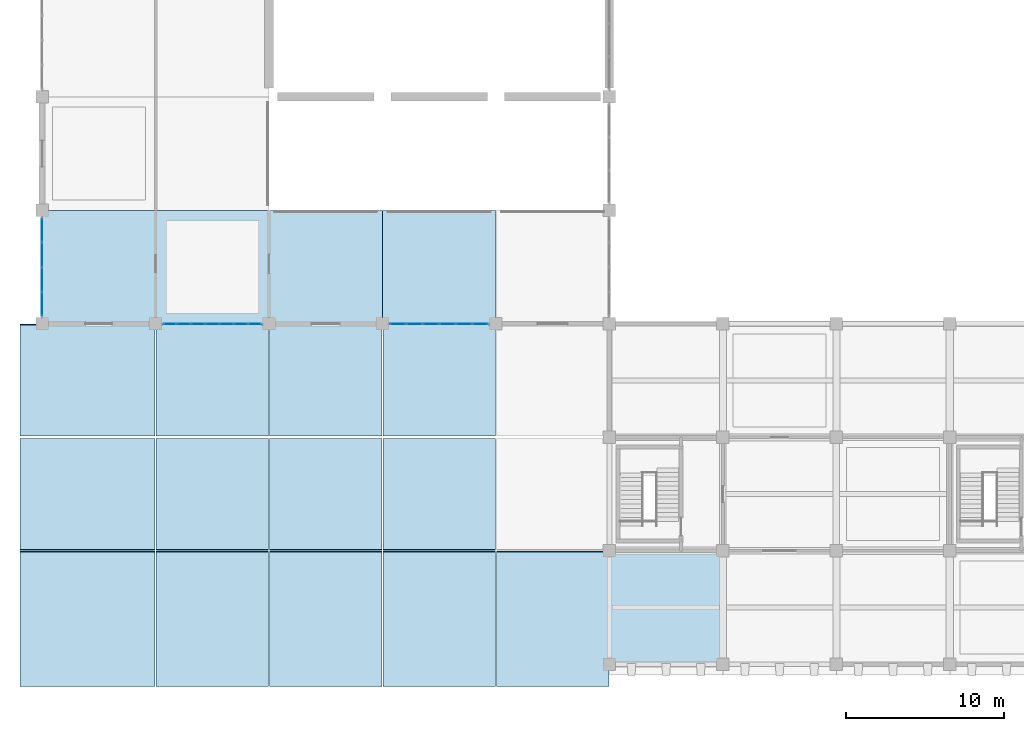
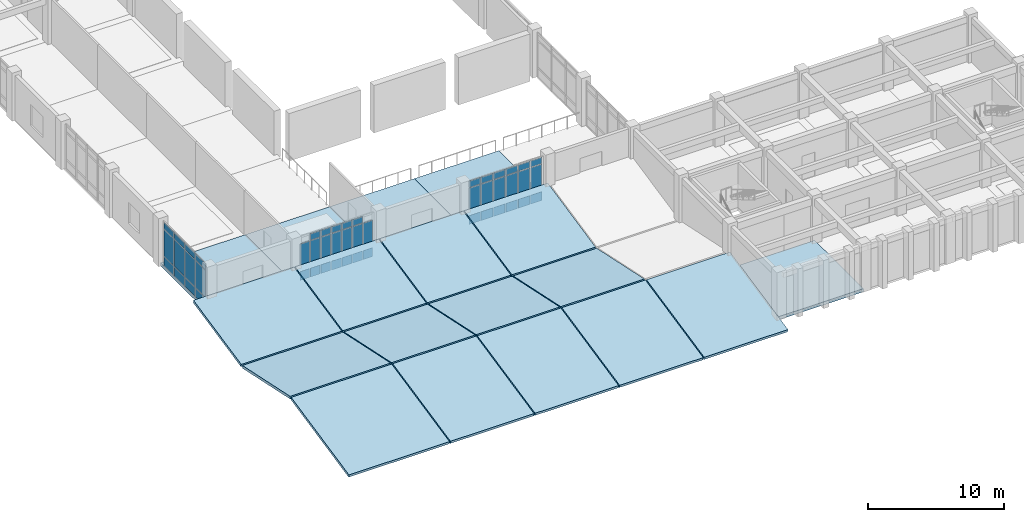
# One storey, part 32 of 70: 49 plates, 18 slabs, 3 elements without a shape of their own.
"""IFC4 building model written with IfcOpenShell, lengths in metres."""

from ifc_helpers import new_model, si_unit, direction, frame, origin, origin_2d, place, context, subcontext, project, spatial, polyline, rectangle, outline, extrude, material, layer, layer_set, type_object, element, aggregate, save


model = new_model("IFC4")

# Units and contexts
model_context = context("Model", 3, precision=1e-05, world=origin(), true_north=direction((0.0, 1.0)))
body_context = subcontext(model_context, "Body", "Model", "MODEL_VIEW")
ifc_project = project(units=[si_unit("LENGTHUNIT", "METRE"), si_unit("AREAUNIT", "SQUARE_METRE"), si_unit("VOLUMEUNIT", "CUBIC_METRE"), si_unit("PLANEANGLEUNIT", "RADIAN"), si_unit("MASSUNIT", "GRAM", prefix="KILO")], contexts=[model_context])

# Site, building, storey
site_placement = place(None, origin())
site = spatial("IfcSite", under=ifc_project, at=site_placement, CompositionType="ELEMENT")
building_placement = place(site_placement, origin())
building = spatial("IfcBuilding", under=site, at=building_placement, Name="Kavelor Marine Aquarium", CompositionType="ELEMENT")
storey_placement = place(building_placement, frame((0.0, 0.0, 9.179931640625)))
storey = spatial("IfcBuildingStorey", under=building, at=storey_placement, Name="L02", CompositionType="ELEMENT", Elevation=9.179931640625)

# Curtain wall, plates
ifc_material_1 = material(Name="Thermally Broken Aluminium and Low-E Glass", Category="aluminium")
ifc_layer_1 = layer(ifc_material_1, 0.156005859375)
ifc_layer_set_1 = layer_set([ifc_layer_1], Name="CW-SYS2")
curtain_wall_type_1 = type_object("IfcCurtainWallType", Name="CW-SYS2", PredefinedType="USERDEFINED", material=ifc_layer_set_1)
curtain_wall_1_placement = place(storey_placement, origin())
curtain_wall_1 = element("IfcCurtainWall", 1, at=curtain_wall_1_placement, inside=storey, type_object=curtain_wall_type_1, Name="cw:x:L02:01_03", ObjectType="Curtain Wall", PredefinedType="USERDEFINED")
ifc_material_2 = material(Name="Solar-Control Double Low-E Glazing", Category="glass")
ifc_layer_2 = layer(ifc_material_2, 0.028076171875)
ifc_layer_set_2 = layer_set([ifc_layer_2], Name="CWP-02")
plate_type_1 = type_object("IfcPlateType", Name="CWP-02", PredefinedType="CURTAIN_PANEL", material=ifc_layer_set_2)
plate_1_placement = place(storey_placement, frame((16.68798828125, 24.39990234375, 0.06494140625), z_axis=(0.0, 0.0, 1.0), x_axis=(-1.0, 0.0, 0.0)))
plate_1 = element("IfcPlate", 2, at=plate_1_placement, type_object=plate_type_1, Name="CW02 panel 1.1", PredefinedType="CURTAIN_PANEL", context=body_context, shape_type="SweptSolid", body=[
    extrude(rectangle(XDim=0.803955078125, YDim=0.028076171875, at=origin_2d()), origin(), (0.0, 0.0, 1.0), 0.802490234375),
])
plate_2_placement = place(storey_placement, frame((16.68798828125, 24.39990234375, 0.9326171875), z_axis=(0.0, 0.0, 1.0), x_axis=(-1.0, 0.0, 0.0)))
plate_2 = element("IfcPlate", 3, at=plate_2_placement, type_object=plate_type_1, Name="CW02 panel 1.2", PredefinedType="CURTAIN_PANEL", context=body_context, shape_type="SweptSolid", body=[
    extrude(rectangle(XDim=0.803955078125, YDim=0.028076171875, at=origin_2d()), origin(), (0.0, 0.0, 1.0), 2.405029296875),
])
plate_3_placement = place(storey_placement, frame((15.802978515625, 24.39990234375, 0.06494140625), z_axis=(0.0, 0.0, 1.0), x_axis=(-1.0, 0.0, 0.0)))
plate_3 = element("IfcPlate", 4, at=plate_3_placement, type_object=plate_type_1, Name="CW02 panel 2.1", PredefinedType="CURTAIN_PANEL", context=body_context, shape_type="SweptSolid", body=[
    extrude(rectangle(XDim=0.83642578125, YDim=0.028076171875, at=origin_2d()), origin(), (0.0, 0.0, 1.0), 0.802490234375),
])
plate_4_placement = place(storey_placement, frame((15.802978515625, 24.39990234375, 0.9326171875), z_axis=(0.0, 0.0, 1.0), x_axis=(-1.0, 0.0, 0.0)))
plate_4 = element("IfcPlate", 5, at=plate_4_placement, type_object=plate_type_1, Name="CW02 panel 2.2", PredefinedType="CURTAIN_PANEL", context=body_context, shape_type="SweptSolid", body=[
    extrude(rectangle(XDim=0.83642578125, YDim=0.028076171875, at=origin_2d()), origin(), (0.0, 0.0, 1.0), 2.405029296875),
])
plate_5_placement = place(storey_placement, frame((15.802978515625, 24.39990234375, 3.40234375), z_axis=(0.0, 0.0, 1.0), x_axis=(-1.0, 0.0, 0.0)))
plate_5 = element("IfcPlate", 6, at=plate_5_placement, type_object=plate_type_1, Name="CW02 panel 2.3", PredefinedType="CURTAIN_PANEL", context=body_context, shape_type="SweptSolid", body=[
    extrude(rectangle(XDim=0.83642578125, YDim=0.028076171875, at=origin_2d()), origin(), (0.0, 0.0, 1.0), 0.552490234375),
])
plate_6_placement = place(storey_placement, frame((14.9013671875, 24.39990234375, 0.06494140625), z_axis=(0.0, 0.0, 1.0), x_axis=(-1.0, 0.0, 0.0)))
plate_6 = element("IfcPlate", 7, at=plate_6_placement, type_object=plate_type_1, Name="CW02 panel 3.1", PredefinedType="CURTAIN_PANEL", context=body_context, shape_type="SweptSolid", body=[
    extrude(rectangle(XDim=0.83642578125, YDim=0.028076171875, at=origin_2d()), origin(), (0.0, 0.0, 1.0), 0.802490234375),
])
plate_7_placement = place(storey_placement, frame((14.9013671875, 24.39990234375, 0.9326171875), z_axis=(0.0, 0.0, 1.0), x_axis=(-1.0, 0.0, 0.0)))
plate_7 = element("IfcPlate", 8, at=plate_7_placement, type_object=plate_type_1, Name="CW02 panel 3.2", PredefinedType="CURTAIN_PANEL", context=body_context, shape_type="SweptSolid", body=[
    extrude(rectangle(XDim=0.83642578125, YDim=0.028076171875, at=origin_2d()), origin(), (0.0, 0.0, 1.0), 2.405029296875),
])
plate_8_placement = place(storey_placement, frame((14.9013671875, 24.39990234375, 3.40234375), z_axis=(0.0, 0.0, 1.0), x_axis=(-1.0, 0.0, 0.0)))
plate_8 = element("IfcPlate", 9, at=plate_8_placement, type_object=plate_type_1, Name="CW02 panel 3.3", PredefinedType="CURTAIN_PANEL", context=body_context, shape_type="SweptSolid", body=[
    extrude(rectangle(XDim=0.83642578125, YDim=0.028076171875, at=origin_2d()), origin(), (0.0, 0.0, 1.0), 0.552490234375),
])
plate_9_placement = place(storey_placement, frame((14.0, 24.39990234375, 0.06494140625), z_axis=(0.0, 0.0, 1.0), x_axis=(-1.0, 0.0, 0.0)))
plate_9 = element("IfcPlate", 10, at=plate_9_placement, type_object=plate_type_1, Name="CW02 panel 4.1", PredefinedType="CURTAIN_PANEL", context=body_context, shape_type="SweptSolid", body=[
    extrude(rectangle(XDim=0.83642578125, YDim=0.028076171875, at=origin_2d()), origin(), (0.0, 0.0, 1.0), 0.802490234375),
])
plate_10_placement = place(storey_placement, frame((14.0, 24.39990234375, 0.9326171875), z_axis=(0.0, 0.0, 1.0), x_axis=(-1.0, 0.0, 0.0)))
plate_10 = element("IfcPlate", 11, at=plate_10_placement, type_object=plate_type_1, Name="CW02 panel 4.2", PredefinedType="CURTAIN_PANEL", context=body_context, shape_type="SweptSolid", body=[
    extrude(rectangle(XDim=0.83642578125, YDim=0.028076171875, at=origin_2d()), origin(), (0.0, 0.0, 1.0), 2.405029296875),
])
plate_11_placement = place(storey_placement, frame((14.0, 24.39990234375, 3.40234375), z_axis=(0.0, 0.0, 1.0), x_axis=(-1.0, 0.0, 0.0)))
plate_11 = element("IfcPlate", 12, at=plate_11_placement, type_object=plate_type_1, Name="CW02 panel 4.3", PredefinedType="CURTAIN_PANEL", context=body_context, shape_type="SweptSolid", body=[
    extrude(rectangle(XDim=0.83642578125, YDim=0.028076171875, at=origin_2d()), origin(), (0.0, 0.0, 1.0), 0.552490234375),
])
plate_12_placement = place(storey_placement, frame((13.0986328125, 24.39990234375, 0.06494140625), z_axis=(0.0, 0.0, 1.0), x_axis=(-1.0, 0.0, 0.0)))
plate_12 = element("IfcPlate", 13, at=plate_12_placement, type_object=plate_type_1, Name="CW02 panel 5.1", PredefinedType="CURTAIN_PANEL", context=body_context, shape_type="SweptSolid", body=[
    extrude(rectangle(XDim=0.83642578125, YDim=0.028076171875, at=origin_2d()), origin(), (0.0, 0.0, 1.0), 0.802490234375),
])
plate_13_placement = place(storey_placement, frame((13.0986328125, 24.39990234375, 0.9326171875), z_axis=(0.0, 0.0, 1.0), x_axis=(-1.0, 0.0, 0.0)))
plate_13 = element("IfcPlate", 14, at=plate_13_placement, type_object=plate_type_1, Name="CW02 panel 5.2", PredefinedType="CURTAIN_PANEL", context=body_context, shape_type="SweptSolid", body=[
    extrude(rectangle(XDim=0.83642578125, YDim=0.028076171875, at=origin_2d()), origin(), (0.0, 0.0, 1.0), 2.405029296875),
])
plate_14_placement = place(storey_placement, frame((13.0986328125, 24.39990234375, 3.40234375), z_axis=(0.0, 0.0, 1.0), x_axis=(-1.0, 0.0, 0.0)))
plate_14 = element("IfcPlate", 15, at=plate_14_placement, type_object=plate_type_1, Name="CW02 panel 5.3", PredefinedType="CURTAIN_PANEL", context=body_context, shape_type="SweptSolid", body=[
    extrude(rectangle(XDim=0.83642578125, YDim=0.028076171875, at=origin_2d()), origin(), (0.0, 0.0, 1.0), 0.552490234375),
])
plate_15_placement = place(storey_placement, frame((12.197021484375, 24.39990234375, 0.06494140625), z_axis=(0.0, 0.0, 1.0), x_axis=(-1.0, 0.0, 0.0)))
plate_15 = element("IfcPlate", 16, at=plate_15_placement, type_object=plate_type_1, Name="CW02 panel 6.1", PredefinedType="CURTAIN_PANEL", context=body_context, shape_type="SweptSolid", body=[
    extrude(rectangle(XDim=0.83642578125, YDim=0.028076171875, at=origin_2d()), origin(), (0.0, 0.0, 1.0), 0.802490234375),
])
plate_16_placement = place(storey_placement, frame((12.197021484375, 24.39990234375, 0.9326171875), z_axis=(0.0, 0.0, 1.0), x_axis=(-1.0, 0.0, 0.0)))
plate_16 = element("IfcPlate", 17, at=plate_16_placement, type_object=plate_type_1, Name="CW02 panel 6.2", PredefinedType="CURTAIN_PANEL", context=body_context, shape_type="SweptSolid", body=[
    extrude(rectangle(XDim=0.83642578125, YDim=0.028076171875, at=origin_2d()), origin(), (0.0, 0.0, 1.0), 2.405029296875),
])
plate_17_placement = place(storey_placement, frame((12.197021484375, 24.39990234375, 3.40234375), z_axis=(0.0, 0.0, 1.0), x_axis=(-1.0, 0.0, 0.0)))
plate_17 = element("IfcPlate", 18, at=plate_17_placement, type_object=plate_type_1, Name="CW02 panel 6.3", PredefinedType="CURTAIN_PANEL", context=body_context, shape_type="SweptSolid", body=[
    extrude(rectangle(XDim=0.83642578125, YDim=0.028076171875, at=origin_2d()), origin(), (0.0, 0.0, 1.0), 0.552490234375),
])
plate_18_placement = place(storey_placement, frame((11.31201171875, 24.39990234375, 0.06494140625), z_axis=(0.0, 0.0, 1.0), x_axis=(-1.0, 0.0, 0.0)))
plate_18 = element("IfcPlate", 19, at=plate_18_placement, type_object=plate_type_1, Name="CW02 panel 7.1", PredefinedType="CURTAIN_PANEL", context=body_context, shape_type="SweptSolid", body=[
    extrude(rectangle(XDim=0.803955078125, YDim=0.028076171875, at=origin_2d()), origin(), (0.0, 0.0, 1.0), 0.802490234375),
])
plate_19_placement = place(storey_placement, frame((11.31201171875, 24.39990234375, 0.9326171875), z_axis=(0.0, 0.0, 1.0), x_axis=(-1.0, 0.0, 0.0)))
plate_19 = element("IfcPlate", 20, at=plate_19_placement, type_object=plate_type_1, Name="CW02 panel 7.2", PredefinedType="CURTAIN_PANEL", context=body_context, shape_type="SweptSolid", body=[
    extrude(rectangle(XDim=0.803955078125, YDim=0.028076171875, at=origin_2d()), origin(), (0.0, 0.0, 1.0), 2.405029296875),
])
aggregate(curtain_wall_1, [plate_1, plate_2, plate_3, plate_4, plate_5, plate_6, plate_7, plate_8, plate_9, plate_10, plate_11, plate_12, plate_13, plate_14, plate_15, plate_16, plate_17, plate_18, plate_19])

ifc_material_3 = material(Name="Thermally Broken Aluminium and Low-E Glass", Category="aluminium")
ifc_layer_3 = layer(ifc_material_3, 0.1640625)
ifc_layer_set_3 = layer_set([ifc_layer_3], Name="CW-SYS3")
curtain_wall_type_2 = type_object("IfcCurtainWallType", Name="CW-SYS3", PredefinedType="USERDEFINED", material=ifc_layer_set_3)
curtain_wall_2_placement = place(storey_placement, origin())
curtain_wall_2 = element("IfcCurtainWall", 21, at=curtain_wall_2_placement, inside=storey, type_object=curtain_wall_type_2, Name="cw:x:L02:03_03", ObjectType="Curtain Wall", PredefinedType="USERDEFINED")
ifc_material_4 = material(Name="Solar-Control Double Low-E Glazing", Category="glass")
ifc_layer_4 = layer(ifc_material_4, 0.030029296875)
ifc_layer_set_4 = layer_set([ifc_layer_4], Name="CWP-03")
plate_type_2 = type_object("IfcPlateType", Name="CWP-03", PredefinedType="CURTAIN_PANEL", material=ifc_layer_set_4)
plate_20_placement = place(storey_placement, frame((31.01416015625, 24.39990234375, 0.06494140625), z_axis=(0.0, 0.0, 1.0), x_axis=(-1.0, 0.0, 0.0)))
plate_20 = element("IfcPlate", 22, at=plate_20_placement, type_object=plate_type_2, Name="CW03 panel 1.1", PredefinedType="CURTAIN_PANEL", context=body_context, shape_type="SweptSolid", body=[
    extrude(rectangle(XDim=0.961669921875, YDim=0.030029296875, at=origin_2d()), origin(), (0.0, 0.0, 1.0), 0.802490234375),
])
plate_21_placement = place(storey_placement, frame((31.01416015625, 24.39990234375, 0.9326171875), z_axis=(0.0, 0.0, 1.0), x_axis=(-1.0, 0.0, 0.0)))
plate_21 = element("IfcPlate", 23, at=plate_21_placement, type_object=plate_type_2, Name="CW03 panel 1.2", PredefinedType="CURTAIN_PANEL", context=body_context, shape_type="SweptSolid", body=[
    extrude(rectangle(XDim=0.961669921875, YDim=0.030029296875, at=origin_2d()), origin(), (0.0, 0.0, 1.0), 2.405029296875),
])
plate_22_placement = place(storey_placement, frame((31.01416015625, 24.39990234375, 3.40234375), z_axis=(0.0, 0.0, 1.0), x_axis=(-1.0, 0.0, 0.0)))
plate_22 = element("IfcPlate", 24, at=plate_22_placement, type_object=plate_type_2, Name="CW03 panel 1.3", PredefinedType="CURTAIN_PANEL", context=body_context, shape_type="SweptSolid", body=[
    extrude(rectangle(XDim=0.961669921875, YDim=0.030029296875, at=origin_2d()), origin(), (0.0, 0.0, 1.0), 0.552490234375),
])
plate_23_placement = place(storey_placement, frame((29.9775390625, 24.39990234375, 0.06494140625), z_axis=(0.0, 0.0, 1.0), x_axis=(-1.0, 0.0, 0.0)))
plate_23 = element("IfcPlate", 25, at=plate_23_placement, type_object=plate_type_2, Name="CW03 panel 2.1", PredefinedType="CURTAIN_PANEL", context=body_context, shape_type="SweptSolid", body=[
    extrude(rectangle(XDim=0.99169921875, YDim=0.030029296875, at=origin_2d()), origin(), (0.0, 0.0, 1.0), 0.802490234375),
])
plate_24_placement = place(storey_placement, frame((29.9775390625, 24.39990234375, 0.9326171875), z_axis=(0.0, 0.0, 1.0), x_axis=(-1.0, 0.0, 0.0)))
plate_24 = element("IfcPlate", 26, at=plate_24_placement, type_object=plate_type_2, Name="CW03 panel 2.2", PredefinedType="CURTAIN_PANEL", context=body_context, shape_type="SweptSolid", body=[
    extrude(rectangle(XDim=0.99169921875, YDim=0.030029296875, at=origin_2d()), origin(), (0.0, 0.0, 1.0), 2.405029296875),
])
plate_25_placement = place(storey_placement, frame((29.9775390625, 24.39990234375, 3.40234375), z_axis=(0.0, 0.0, 1.0), x_axis=(-1.0, 0.0, 0.0)))
plate_25 = element("IfcPlate", 27, at=plate_25_placement, type_object=plate_type_2, Name="CW03 panel 2.3", PredefinedType="CURTAIN_PANEL", context=body_context, shape_type="SweptSolid", body=[
    extrude(rectangle(XDim=0.99169921875, YDim=0.030029296875, at=origin_2d()), origin(), (0.0, 0.0, 1.0), 0.552490234375),
])
plate_26_placement = place(storey_placement, frame((28.92578125, 24.39990234375, 0.06494140625), z_axis=(0.0, 0.0, 1.0), x_axis=(-1.0, 0.0, 0.0)))
plate_26 = element("IfcPlate", 28, at=plate_26_placement, type_object=plate_type_2, Name="CW03 panel 3.1", PredefinedType="CURTAIN_PANEL", context=body_context, shape_type="SweptSolid", body=[
    extrude(rectangle(XDim=0.99169921875, YDim=0.030029296875, at=origin_2d()), origin(), (0.0, 0.0, 1.0), 0.802490234375),
])
plate_27_placement = place(storey_placement, frame((28.92578125, 24.39990234375, 0.9326171875), z_axis=(0.0, 0.0, 1.0), x_axis=(-1.0, 0.0, 0.0)))
plate_27 = element("IfcPlate", 29, at=plate_27_placement, type_object=plate_type_2, Name="CW03 panel 3.2", PredefinedType="CURTAIN_PANEL", context=body_context, shape_type="SweptSolid", body=[
    extrude(rectangle(XDim=0.99169921875, YDim=0.030029296875, at=origin_2d()), origin(), (0.0, 0.0, 1.0), 2.405029296875),
])
plate_28_placement = place(storey_placement, frame((28.92578125, 24.39990234375, 3.40234375), z_axis=(0.0, 0.0, 1.0), x_axis=(-1.0, 0.0, 0.0)))
plate_28 = element("IfcPlate", 30, at=plate_28_placement, type_object=plate_type_2, Name="CW03 panel 3.3", PredefinedType="CURTAIN_PANEL", context=body_context, shape_type="SweptSolid", body=[
    extrude(rectangle(XDim=0.99169921875, YDim=0.030029296875, at=origin_2d()), origin(), (0.0, 0.0, 1.0), 0.552490234375),
])
plate_29_placement = place(storey_placement, frame((27.874267578125, 24.39990234375, 0.06494140625), z_axis=(0.0, 0.0, 1.0), x_axis=(-1.0, 0.0, 0.0)))
plate_29 = element("IfcPlate", 31, at=plate_29_placement, type_object=plate_type_2, Name="CW03 panel 4.1", PredefinedType="CURTAIN_PANEL", context=body_context, shape_type="SweptSolid", body=[
    extrude(rectangle(XDim=0.99169921875, YDim=0.030029296875, at=origin_2d()), origin(), (0.0, 0.0, 1.0), 0.802490234375),
])
plate_30_placement = place(storey_placement, frame((27.874267578125, 24.39990234375, 0.9326171875), z_axis=(0.0, 0.0, 1.0), x_axis=(-1.0, 0.0, 0.0)))
plate_30 = element("IfcPlate", 32, at=plate_30_placement, type_object=plate_type_2, Name="CW03 panel 4.2", PredefinedType="CURTAIN_PANEL", context=body_context, shape_type="SweptSolid", body=[
    extrude(rectangle(XDim=0.99169921875, YDim=0.030029296875, at=origin_2d()), origin(), (0.0, 0.0, 1.0), 2.405029296875),
])
plate_31_placement = place(storey_placement, frame((27.874267578125, 24.39990234375, 3.40234375), z_axis=(0.0, 0.0, 1.0), x_axis=(-1.0, 0.0, 0.0)))
plate_31 = element("IfcPlate", 33, at=plate_31_placement, type_object=plate_type_2, Name="CW03 panel 4.3", PredefinedType="CURTAIN_PANEL", context=body_context, shape_type="SweptSolid", body=[
    extrude(rectangle(XDim=0.99169921875, YDim=0.030029296875, at=origin_2d()), origin(), (0.0, 0.0, 1.0), 0.552490234375),
])
plate_32_placement = place(storey_placement, frame((26.822509765625, 24.39990234375, 0.06494140625), z_axis=(0.0, 0.0, 1.0), x_axis=(-1.0, 0.0, 0.0)))
plate_32 = element("IfcPlate", 34, at=plate_32_placement, type_object=plate_type_2, Name="CW03 panel 5.1", PredefinedType="CURTAIN_PANEL", context=body_context, shape_type="SweptSolid", body=[
    extrude(rectangle(XDim=0.99169921875, YDim=0.030029296875, at=origin_2d()), origin(), (0.0, 0.0, 1.0), 0.802490234375),
])
plate_33_placement = place(storey_placement, frame((26.822509765625, 24.39990234375, 0.9326171875), z_axis=(0.0, 0.0, 1.0), x_axis=(-1.0, 0.0, 0.0)))
plate_33 = element("IfcPlate", 35, at=plate_33_placement, type_object=plate_type_2, Name="CW03 panel 5.2", PredefinedType="CURTAIN_PANEL", context=body_context, shape_type="SweptSolid", body=[
    extrude(rectangle(XDim=0.99169921875, YDim=0.030029296875, at=origin_2d()), origin(), (0.0, 0.0, 1.0), 2.405029296875),
])
plate_34_placement = place(storey_placement, frame((26.822509765625, 24.39990234375, 3.40234375), z_axis=(0.0, 0.0, 1.0), x_axis=(-1.0, 0.0, 0.0)))
plate_34 = element("IfcPlate", 36, at=plate_34_placement, type_object=plate_type_2, Name="CW03 panel 5.3", PredefinedType="CURTAIN_PANEL", context=body_context, shape_type="SweptSolid", body=[
    extrude(rectangle(XDim=0.99169921875, YDim=0.030029296875, at=origin_2d()), origin(), (0.0, 0.0, 1.0), 0.552490234375),
])
plate_35_placement = place(storey_placement, frame((25.785888671875, 24.39990234375, 0.06494140625), z_axis=(0.0, 0.0, 1.0), x_axis=(-1.0, 0.0, 0.0)))
plate_35 = element("IfcPlate", 37, at=plate_35_placement, type_object=plate_type_2, Name="CW03 panel 6.1", PredefinedType="CURTAIN_PANEL", context=body_context, shape_type="SweptSolid", body=[
    extrude(rectangle(XDim=0.961669921875, YDim=0.030029296875, at=origin_2d()), origin(), (0.0, 0.0, 1.0), 0.802490234375),
])
plate_36_placement = place(storey_placement, frame((25.785888671875, 24.39990234375, 0.9326171875), z_axis=(0.0, 0.0, 1.0), x_axis=(-1.0, 0.0, 0.0)))
plate_36 = element("IfcPlate", 38, at=plate_36_placement, type_object=plate_type_2, Name="CW03 panel 6.2", PredefinedType="CURTAIN_PANEL", context=body_context, shape_type="SweptSolid", body=[
    extrude(rectangle(XDim=0.961669921875, YDim=0.030029296875, at=origin_2d()), origin(), (0.0, 0.0, 1.0), 2.405029296875),
])
plate_37_placement = place(storey_placement, frame((25.785888671875, 24.39990234375, 3.40234375), z_axis=(0.0, 0.0, 1.0), x_axis=(-1.0, 0.0, 0.0)))
plate_37 = element("IfcPlate", 39, at=plate_37_placement, type_object=plate_type_2, Name="CW03 panel 6.3", PredefinedType="CURTAIN_PANEL", context=body_context, shape_type="SweptSolid", body=[
    extrude(rectangle(XDim=0.961669921875, YDim=0.030029296875, at=origin_2d()), origin(), (0.0, 0.0, 1.0), 0.552490234375),
])
aggregate(curtain_wall_2, [plate_20, plate_21, plate_22, plate_23, plate_24, plate_25, plate_26, plate_27, plate_28, plate_29, plate_30, plate_31, plate_32, plate_33, plate_34, plate_35, plate_36, plate_37])

ifc_material_5 = material(Name="Thermally Broken Aluminium and Low-E Glass", Category="aluminium")
ifc_layer_5 = layer(ifc_material_5, 0.243896484375)
ifc_layer_set_5 = layer_set([ifc_layer_5], Name="CW-SYS13")
curtain_wall_type_3 = type_object("IfcCurtainWallType", Name="CW-SYS13", PredefinedType="USERDEFINED", material=ifc_layer_set_5)
curtain_wall_3_placement = place(storey_placement, origin())
curtain_wall_3 = element("IfcCurtainWall", 40, at=curtain_wall_3_placement, inside=storey, type_object=curtain_wall_type_3, Name="cw:y:L02:00_03", ObjectType="Curtain Wall", PredefinedType="USERDEFINED")
ifc_material_6 = material(Name="Solar-Control Double Low-E Glazing", Category="glass")
ifc_layer_6 = layer(ifc_material_6, 0.050048828125)
ifc_layer_set_6 = layer_set([ifc_layer_6], Name="CWP-13")
plate_type_3 = type_object("IfcPlateType", Name="CWP-13", PredefinedType="CURTAIN_PANEL", material=ifc_layer_set_6)
plate_38_placement = place(storey_placement, frame((3.199951171875, 30.347412109375, 0.074951171875), z_axis=(0.0, 0.0, 1.0), x_axis=(0.0, -1.0, 0.0)))
plate_38 = element("IfcPlate", 41, at=plate_38_placement, type_object=plate_type_3, Name="CW13 panel 1.1", PredefinedType="CURTAIN_PANEL", context=body_context, shape_type="SweptSolid", body=[
    extrude(rectangle(XDim=1.465087890625, YDim=0.050048828125, at=origin_2d()), origin(), (0.0, 0.0, 1.0), 0.78759765625),
])
plate_39_placement = place(storey_placement, frame((3.199951171875, 30.347412109375, 0.9375), z_axis=(0.0, 0.0, 1.0), x_axis=(0.0, -1.0, 0.0)))
plate_39 = element("IfcPlate", 42, at=plate_39_placement, type_object=plate_type_3, Name="CW13 panel 1.2", PredefinedType="CURTAIN_PANEL", context=body_context, shape_type="SweptSolid", body=[
    extrude(rectangle(XDim=1.465087890625, YDim=0.050048828125, at=origin_2d()), origin(), (0.0, 0.0, 1.0), 2.39501953125),
])
plate_40_placement = place(storey_placement, frame((3.199951171875, 30.347412109375, 3.407470703125), z_axis=(0.0, 0.0, 1.0), x_axis=(0.0, -1.0, 0.0)))
plate_40 = element("IfcPlate", 43, at=plate_40_placement, type_object=plate_type_3, Name="CW13 panel 1.3", PredefinedType="CURTAIN_PANEL", context=body_context, shape_type="SweptSolid", body=[
    extrude(rectangle(XDim=1.465087890625, YDim=0.050048828125, at=origin_2d()), origin(), (0.0, 0.0, 1.0), 0.53759765625),
])
plate_41_placement = place(storey_placement, frame((3.199951171875, 28.788818359375, 0.074951171875), z_axis=(0.0, 0.0, 1.0), x_axis=(0.0, -1.0, 0.0)))
plate_41 = element("IfcPlate", 44, at=plate_41_placement, type_object=plate_type_3, Name="CW13 panel 2.1", PredefinedType="CURTAIN_PANEL", context=body_context, shape_type="SweptSolid", body=[
    extrude(rectangle(XDim=1.50244140625, YDim=0.050048828125, at=origin_2d()), origin(), (0.0, 0.0, 1.0), 0.78759765625),
])
plate_42_placement = place(storey_placement, frame((3.199951171875, 28.788818359375, 0.9375), z_axis=(0.0, 0.0, 1.0), x_axis=(0.0, -1.0, 0.0)))
plate_42 = element("IfcPlate", 45, at=plate_42_placement, type_object=plate_type_3, Name="CW13 panel 2.2", PredefinedType="CURTAIN_PANEL", context=body_context, shape_type="SweptSolid", body=[
    extrude(rectangle(XDim=1.50244140625, YDim=0.050048828125, at=origin_2d()), origin(), (0.0, 0.0, 1.0), 2.39501953125),
])
plate_43_placement = place(storey_placement, frame((3.199951171875, 28.788818359375, 3.407470703125), z_axis=(0.0, 0.0, 1.0), x_axis=(0.0, -1.0, 0.0)))
plate_43 = element("IfcPlate", 46, at=plate_43_placement, type_object=plate_type_3, Name="CW13 panel 2.3", PredefinedType="CURTAIN_PANEL", context=body_context, shape_type="SweptSolid", body=[
    extrude(rectangle(XDim=1.50244140625, YDim=0.050048828125, at=origin_2d()), origin(), (0.0, 0.0, 1.0), 0.53759765625),
])
plate_44_placement = place(storey_placement, frame((3.199951171875, 27.211181640625, 0.074951171875), z_axis=(0.0, 0.0, 1.0), x_axis=(0.0, -1.0, 0.0)))
plate_44 = element("IfcPlate", 47, at=plate_44_placement, type_object=plate_type_3, Name="CW13 panel 3.1", PredefinedType="CURTAIN_PANEL", context=body_context, shape_type="SweptSolid", body=[
    extrude(rectangle(XDim=1.50244140625, YDim=0.050048828125, at=origin_2d()), origin(), (0.0, 0.0, 1.0), 0.78759765625),
])
plate_45_placement = place(storey_placement, frame((3.199951171875, 27.211181640625, 0.9375), z_axis=(0.0, 0.0, 1.0), x_axis=(0.0, -1.0, 0.0)))
plate_45 = element("IfcPlate", 48, at=plate_45_placement, type_object=plate_type_3, Name="CW13 panel 3.2", PredefinedType="CURTAIN_PANEL", context=body_context, shape_type="SweptSolid", body=[
    extrude(rectangle(XDim=1.50244140625, YDim=0.050048828125, at=origin_2d()), origin(), (0.0, 0.0, 1.0), 2.39501953125),
])
plate_46_placement = place(storey_placement, frame((3.199951171875, 27.211181640625, 3.407470703125), z_axis=(0.0, 0.0, 1.0), x_axis=(0.0, -1.0, 0.0)))
plate_46 = element("IfcPlate", 49, at=plate_46_placement, type_object=plate_type_3, Name="CW13 panel 3.3", PredefinedType="CURTAIN_PANEL", context=body_context, shape_type="SweptSolid", body=[
    extrude(rectangle(XDim=1.50244140625, YDim=0.050048828125, at=origin_2d()), origin(), (0.0, 0.0, 1.0), 0.53759765625),
])
plate_47_placement = place(storey_placement, frame((3.199951171875, 25.652587890625, 0.074951171875), z_axis=(0.0, 0.0, 1.0), x_axis=(0.0, -1.0, 0.0)))
plate_47 = element("IfcPlate", 50, at=plate_47_placement, type_object=plate_type_3, Name="CW13 panel 4.1", PredefinedType="CURTAIN_PANEL", context=body_context, shape_type="SweptSolid", body=[
    extrude(rectangle(XDim=1.465087890625, YDim=0.050048828125, at=origin_2d()), origin(), (0.0, 0.0, 1.0), 0.78759765625),
])
plate_48_placement = place(storey_placement, frame((3.199951171875, 25.652587890625, 0.9375), z_axis=(0.0, 0.0, 1.0), x_axis=(0.0, -1.0, 0.0)))
plate_48 = element("IfcPlate", 51, at=plate_48_placement, type_object=plate_type_3, Name="CW13 panel 4.2", PredefinedType="CURTAIN_PANEL", context=body_context, shape_type="SweptSolid", body=[
    extrude(rectangle(XDim=1.465087890625, YDim=0.050048828125, at=origin_2d()), origin(), (0.0, 0.0, 1.0), 2.39501953125),
])
plate_49_placement = place(storey_placement, frame((3.199951171875, 25.652587890625, 3.407470703125), z_axis=(0.0, 0.0, 1.0), x_axis=(0.0, -1.0, 0.0)))
plate_49 = element("IfcPlate", 52, at=plate_49_placement, type_object=plate_type_3, Name="CW13 panel 4.3", PredefinedType="CURTAIN_PANEL", context=body_context, shape_type="SweptSolid", body=[
    extrude(rectangle(XDim=1.465087890625, YDim=0.050048828125, at=origin_2d()), origin(), (0.0, 0.0, 1.0), 0.53759765625),
])
aggregate(curtain_wall_3, [plate_38, plate_39, plate_40, plate_41, plate_42, plate_43, plate_44, plate_45, plate_46, plate_47, plate_48, plate_49])

# Slabs
ifc_material_7 = material(Name="Concrete C40/50", Category="concrete")
ifc_layer_7 = layer(ifc_material_7, 0.300048828125)
ifc_layer_set_7 = layer_set([ifc_layer_7], Name="SL-FL1")
slab_type_1 = type_object("IfcSlabType", Name="SL-FL1", PredefinedType="FLOOR", material=ifc_layer_set_7)
slab_1_placement = place(storey_placement, frame((0.0, 0.0, -0.300048828125)))
element("IfcSlab", 53, at=slab_1_placement, inside=storey, type_object=slab_type_1, Name="slab:L02:01_03", PredefinedType="FLOOR", context=body_context, shape_type="SweptSolid", body=[
    extrude(outline(polyline([(10.39990234375, 24.39990234375), (17.60009765625, 24.39990234375), (17.60009765625, 31.60009765625), (10.39990234375, 31.60009765625), (10.39990234375, 24.39990234375)])), origin(), (0.0, 0.0, 1.0), 0.300048828125),
])
slab_2_placement = place(storey_placement, frame((0.0, 0.0, -0.300048828125)))
element("IfcSlab", 54, at=slab_2_placement, inside=storey, type_object=slab_type_1, Name="slab:L02:03_03", PredefinedType="FLOOR", context=body_context, shape_type="SweptSolid", body=[
    extrude(outline(polyline([(24.800048828125, 24.39990234375), (32.0, 24.39990234375), (32.0, 31.60009765625), (24.800048828125, 31.60009765625), (24.800048828125, 24.39990234375)])), origin(), (0.0, 0.0, 1.0), 0.300048828125),
])
ifc_material_8 = material(Name="Concrete C40/50", Category="concrete")
ifc_layer_8 = layer(ifc_material_8, 0.280029296875)
ifc_layer_set_8 = layer_set([ifc_layer_8], Name="SL-FL2")
slab_type_2 = type_object("IfcSlabType", Name="SL-FL2", PredefinedType="FLOOR", material=ifc_layer_set_8)
slab_3_placement = place(storey_placement, frame((0.0, 0.0, -0.280029296875)))
element("IfcSlab", 55, at=slab_3_placement, inside=storey, type_object=slab_type_2, Name="slab:L02:00_03", PredefinedType="FLOOR", context=body_context, shape_type="SweptSolid", body=[
    extrude(outline(polyline([(3.199951171875, 24.39990234375), (10.39990234375, 24.39990234375), (10.39990234375, 31.60009765625), (3.199951171875, 31.60009765625), (3.199951171875, 24.39990234375)])), origin(), (0.0, 0.0, 1.0), 0.280029296875),
])
slab_4_placement = place(storey_placement, frame((0.0, 0.0, -0.280029296875)))
element("IfcSlab", 56, at=slab_4_placement, inside=storey, type_object=slab_type_2, Name="slab:L02:02_03", PredefinedType="FLOOR", context=body_context, shape_type="SweptSolid", body=[
    extrude(outline(polyline([(17.60009765625, 24.39990234375), (24.800048828125, 24.39990234375), (24.800048828125, 31.60009765625), (17.60009765625, 31.60009765625), (17.60009765625, 24.39990234375)])), origin(), (0.0, 0.0, 1.0), 0.280029296875),
])
slab_5_placement = place(storey_placement, frame((0.0, 0.0, -0.280029296875)))
element("IfcSlab", 57, at=slab_5_placement, inside=storey, type_object=slab_type_2, Name="slab:L02:05_00", PredefinedType="FLOOR", context=body_context, shape_type="SweptSolid", body=[
    extrude(outline(polyline([(39.199951171875, 2.800048828125), (46.39990234375, 2.800048828125), (46.39990234375, 10.0), (39.199951171875, 10.0), (39.199951171875, 2.800048828125)])), origin(), (0.0, 0.0, 1.0), 0.280029296875),
])
ifc_material_9 = material(Name="Concrete C40/50", Category="concrete")
ifc_layer_9 = layer(ifc_material_9, 0.239990234375)
ifc_layer_set_9 = layer_set([ifc_layer_9], Name="SL-RF2")
slab_type_3 = type_object("IfcSlabType", Name="SL-RF2", PredefinedType="ROOF", material=ifc_layer_set_9)
slab_6_placement = place(storey_placement, frame((1.800048828125, 1.39990234375, -0.297607421875), z_axis=(0.0, -0.207931454383, 0.97814339965), x_axis=(1.0, 0.0, 0.0)))
element("IfcSlab", 58, at=slab_6_placement, inside=storey, type_object=slab_type_3, Name="roof:L02:00_00", PredefinedType="ROOF", context=body_context, shape_type="SweptSolid", body=[
    extrude(outline(polyline([(0.0, 0.0), (8.56005859375, 0.0), (8.56005859375, 8.715640761291763), (0.0, 8.715640761291763), (0.0, 0.0)])), origin(), (0.0, 0.0, -1.0), 0.239990234375),
])
for number, where, z_axis, x_axis, name in (
    (59, (1.800048828125, 10.074951171875, 1.5146484375), (0.0, 0.207911825918, 0.978147572017), (1.0, 0.0, 0.0), "roof:L02:00_01"),
    (60, (1.800048828125, 17.27490234375, 0.01611328125), (0.0, -0.207911825918, 0.978147572017), (1.0, 0.0, 0.0), "roof:L02:00_02"),
):
    element("IfcSlab", number, at=place(storey_placement, frame(where, z_axis=z_axis, x_axis=x_axis)), inside=storey, type_object=slab_type_3, Name=name, PredefinedType="ROOF", context=body_context, shape_type="SweptSolid", body=[
        extrude(outline(polyline([(0.0, 0.0), (8.56005859375, 0.0), (8.56005859375, 7.207551324372508), (0.0, 7.207551324372508), (0.0, 0.0)])), origin(), (0.0, 0.0, -1.0), 0.239990234375),
    ])
slab_7_placement = place(storey_placement, frame((10.43994140625, 1.39990234375, -0.297607421875), z_axis=(0.0, -0.207931454383, 0.97814339965), x_axis=(1.0, 0.0, 0.0)))
element("IfcSlab", 61, at=slab_7_placement, inside=storey, type_object=slab_type_3, Name="roof:L02:01_00", PredefinedType="ROOF", context=body_context, shape_type="SweptSolid", body=[
    extrude(outline(polyline([(0.0, 0.0), (7.1201171875, 0.0), (7.1201171875, 8.71564076129176), (0.0, 8.71564076129176), (0.0, 0.0)])), origin(), (0.0, 0.0, -1.0), 0.239990234375),
])
for number, where, z_axis, x_axis, name in (
    (62, (10.43994140625, 10.074951171875, 1.5146484375), (0.0, 0.207911825918, 0.978147572017), (1.0, 0.0, 0.0), "roof:L02:01_01"),
    (63, (10.43994140625, 17.27490234375, 0.01611328125), (0.0, -0.207911825918, 0.978147572017), (1.0, 0.0, 0.0), "roof:L02:01_02"),
):
    element("IfcSlab", number, at=place(storey_placement, frame(where, z_axis=z_axis, x_axis=x_axis)), inside=storey, type_object=slab_type_3, Name=name, PredefinedType="ROOF", context=body_context, shape_type="SweptSolid", body=[
        extrude(outline(polyline([(0.0, 0.0), (7.1201171875, 0.0), (7.1201171875, 7.207551324372509), (0.0, 7.207551324372509), (0.0, 0.0)])), origin(), (0.0, 0.0, -1.0), 0.239990234375),
    ])
slab_8_placement = place(storey_placement, frame((17.639892578125, 1.39990234375, -0.297607421875), z_axis=(0.0, -0.207931454383, 0.97814339965), x_axis=(1.0, 0.0, 0.0)))
element("IfcSlab", 64, at=slab_8_placement, inside=storey, type_object=slab_type_3, Name="roof:L02:02_00", PredefinedType="ROOF", context=body_context, shape_type="SweptSolid", body=[
    extrude(outline(polyline([(0.0, 0.0), (7.1201171875, 0.0), (7.1201171875, 8.71564076129176), (0.0, 8.71564076129176), (0.0, 0.0)])), origin(), (0.0, 0.0, -1.0), 0.239990234375),
])
for number, where, z_axis, x_axis, name in (
    (65, (17.639892578125, 10.074951171875, 1.5146484375), (0.0, 0.207911825918, 0.978147572017), (1.0, 0.0, 0.0), "roof:L02:02_01"),
    (66, (17.639892578125, 17.27490234375, 0.01611328125), (0.0, -0.207911825918, 0.978147572017), (1.0, 0.0, 0.0), "roof:L02:02_02"),
):
    element("IfcSlab", number, at=place(storey_placement, frame(where, z_axis=z_axis, x_axis=x_axis)), inside=storey, type_object=slab_type_3, Name=name, PredefinedType="ROOF", context=body_context, shape_type="SweptSolid", body=[
        extrude(outline(polyline([(0.0, 0.0), (7.1201171875, 0.0), (7.1201171875, 7.207551324372509), (0.0, 7.207551324372509), (0.0, 0.0)])), origin(), (0.0, 0.0, -1.0), 0.239990234375),
    ])
slab_9_placement = place(storey_placement, frame((24.840087890625, 1.39990234375, -0.297607421875), z_axis=(0.0, -0.207931454383, 0.97814339965), x_axis=(1.0, 0.0, 0.0)))
element("IfcSlab", 67, at=slab_9_placement, inside=storey, type_object=slab_type_3, Name="roof:L02:03_00", PredefinedType="ROOF", context=body_context, shape_type="SweptSolid", body=[
    extrude(outline(polyline([(0.0, 0.0), (7.119873046875, 0.0), (7.119873046875, 8.71564076129176), (0.0, 8.71564076129176), (0.0, 0.0)])), origin(), (0.0, 0.0, -1.0), 0.239990234375),
])
for number, where, z_axis, x_axis, name in (
    (68, (24.840087890625, 10.074951171875, 1.5146484375), (0.0, 0.207911825918, 0.978147572017), (1.0, 0.0, 0.0), "roof:L02:03_01"),
    (69, (24.840087890625, 17.27490234375, 0.01611328125), (0.0, -0.207911825918, 0.978147572017), (1.0, 0.0, 0.0), "roof:L02:03_02"),
):
    element("IfcSlab", number, at=place(storey_placement, frame(where, z_axis=z_axis, x_axis=x_axis)), inside=storey, type_object=slab_type_3, Name=name, PredefinedType="ROOF", context=body_context, shape_type="SweptSolid", body=[
        extrude(outline(polyline([(0.0, 0.0), (7.119873046875, 0.0), (7.119873046875, 7.207551324372508), (0.0, 7.207551324372508), (0.0, 0.0)])), origin(), (0.0, 0.0, -1.0), 0.239990234375),
    ])
slab_10_placement = place(storey_placement, frame((32.0400390625, 1.39990234375, -0.297607421875), z_axis=(0.0, -0.207931454383, 0.97814339965), x_axis=(1.0, 0.0, 0.0)))
element("IfcSlab", 70, at=slab_10_placement, inside=storey, type_object=slab_type_3, Name="roof:L02:04_00", PredefinedType="ROOF", context=body_context, shape_type="SweptSolid", body=[
    extrude(outline(polyline([(0.0, 0.0), (7.119873046875, 0.0), (7.119873046875, 8.71564076129176), (0.0, 8.71564076129176), (0.0, 0.0)])), origin(), (0.0, 0.0, -1.0), 0.239990234375),
])

save(model, "model.ifc")
